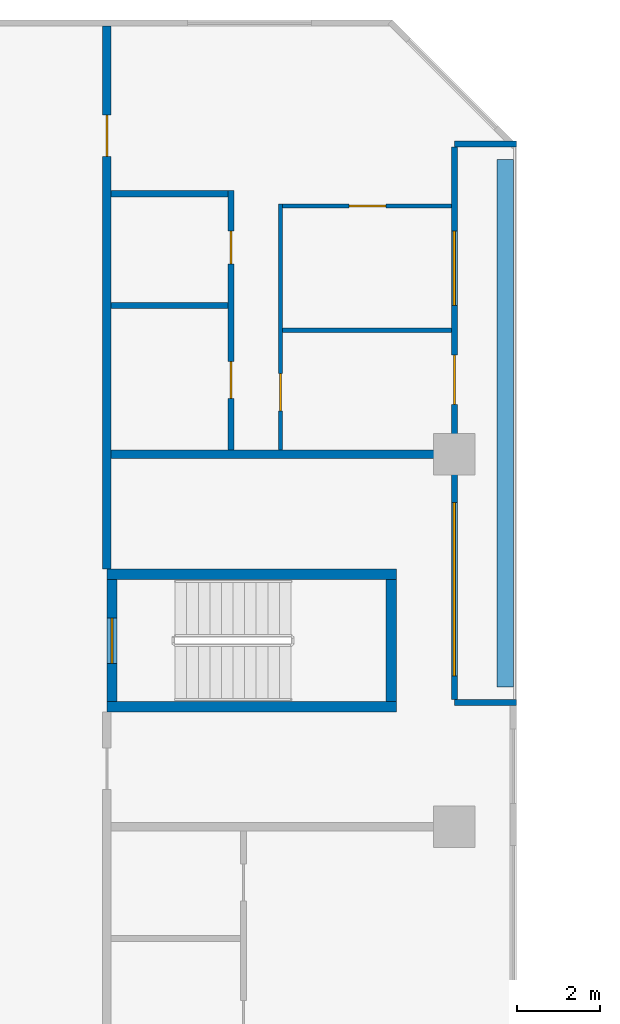
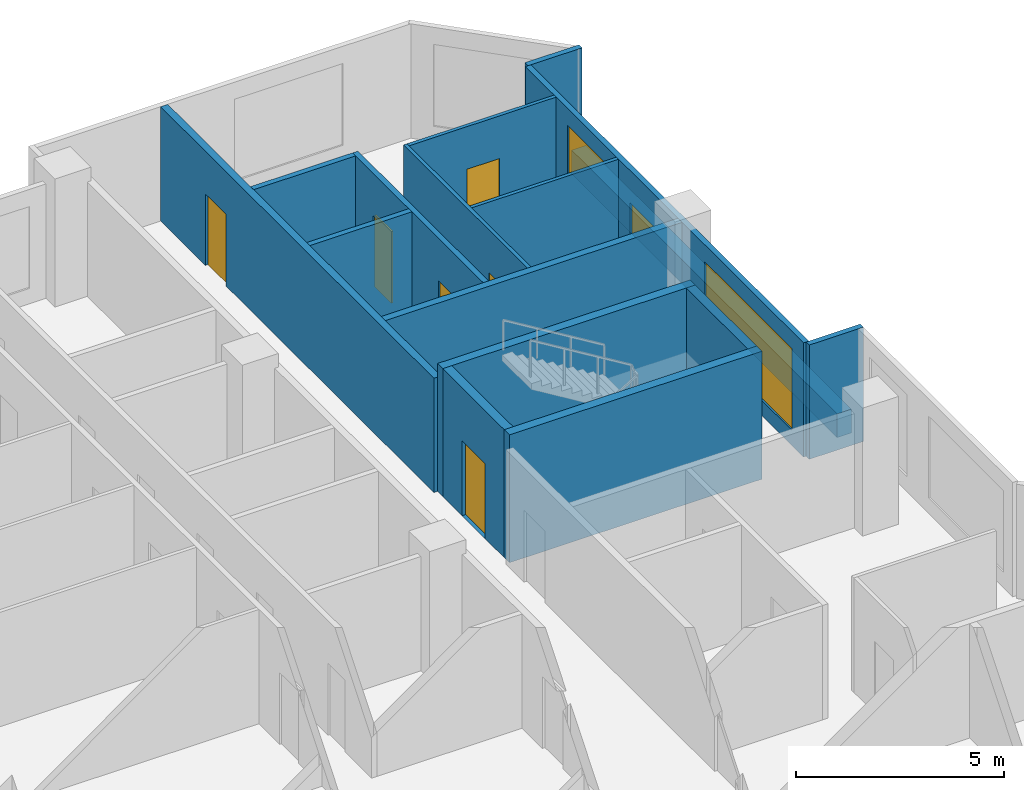
# One storey, part 11 of 15: 16 walls, 7 doors, 2 windows, 9 openings.
"""IFC4 building model written with IfcOpenShell, lengths in metres."""

from ifc_helpers import new_model, si_unit, direction, frame, frame_2d, origin, place, context, subcontext, project, spatial, rectangle, extrude, material, layer, layer_set, type_object, element, fill, save


model = new_model("IFC4")

# Units and contexts
model_context = context("Model", 3, precision=1e-05, world=origin(), true_north=direction((0.0, 1.0)))
body_context = subcontext(model_context, "Body", "Model", "MODEL_VIEW")
ifc_project = project(units=[si_unit("LENGTHUNIT", "METRE"), si_unit("AREAUNIT", "SQUARE_METRE"), si_unit("VOLUMEUNIT", "CUBIC_METRE"), si_unit("PLANEANGLEUNIT", "RADIAN"), si_unit("MASSUNIT", "GRAM", prefix="KILO")], contexts=[model_context])

# Site, building, storey
site_placement = place(None, origin())
site = spatial("IfcSite", under=ifc_project, at=site_placement, CompositionType="ELEMENT")
building_placement = place(site_placement, origin())
building = spatial("IfcBuilding", under=site, at=building_placement, Name="Chenar Terraces", CompositionType="ELEMENT")
storey_placement = place(building_placement, frame((0.0, 0.0, 125.64990234375)))
storey = spatial("IfcBuildingStorey", under=building, at=storey_placement, Name="L29", CompositionType="ELEMENT", Elevation=125.64990234375)

# Walls
ifc_material_1 = material(Name="Concrete C70/85", Category="concrete")
ifc_layer_1 = layer(ifc_material_1, 0.25)
ifc_layer_set_1 = layer_set([ifc_layer_1], Name="Concrete C70/85")
wall_type_1 = type_object("IfcWallType", Name="Core wall 250 Concrete C70/85", PredefinedType="SHEAR", material=ifc_layer_set_1)
for number, where, z_axis, x_axis, name in (
    (1, (15.60009765625, 47.89990234375, 0.0), (0.0, 0.0, 1.0), (1.0, 0.0, 0.0), "Core wall ST4_S L29"),
    (2, (15.60009765625, 51.10009765625, 0.0), (0.0, 0.0, 1.0), (1.0, 0.0, 0.0), "Core wall ST4_N L29"),
):
    element("IfcWall", number, at=place(storey_placement, frame(where, z_axis=z_axis, x_axis=x_axis)), inside=storey, type_object=wall_type_1, Name=name, PredefinedType="SHEAR", context=body_context, shape_type="SweptSolid", body=[
        extrude(rectangle(XDim=7.0, YDim=0.25, at=frame_2d((3.5, 0.0))), origin(), (0.0, 0.0, 1.0), 3.75),
    ])

# Wall, opening, door
wall_1_placement = place(storey_placement, frame((15.72509765625, 48.02490234375, 0.0), z_axis=(0.0, 0.0, 1.0), x_axis=(0.0, 1.0, 0.0)))
wall_1 = element("IfcWall", 3, at=wall_1_placement, inside=storey, type_object=wall_type_1, Name="Core wall ST4_W L29", PredefinedType="SHEAR", context=body_context, shape_type="SweptSolid", body=[
    extrude(rectangle(XDim=2.9501953125, YDim=0.25, at=frame_2d((1.47509765625, 0.0))), origin(), (0.0, 0.0, 1.0), 3.75),
])
opening_1_placement = place(wall_1_placement, frame((0.925048828125, 0.0, 0.0)))
opening_1 = element("IfcOpeningElement", 4, at=opening_1_placement, cuts=wall_1, Name="Opening DL29-C9", PredefinedType="OPENING", context=body_context, shape_type="SweptSolid", body=[
    extrude(rectangle(XDim=1.10009765625, YDim=2.199951171875, at=frame_2d((0.550048828125, 1.10009765625))), frame((0.0, 0.135009765625, 0.0), z_axis=(0.0, -1.0, 0.0), x_axis=(1.0, 0.0, 0.0)), (0.0, 0.0, 1.0), 0.27001953125),
])
ifc_material_2 = material(Name="Steel-framed fire-resisting door leaf", Category="steel")
door_type_1 = type_object("IfcDoorType", Name="Stair fire door FD60 1100 x 2200", OperationType="SINGLE_SWING_LEFT", PredefinedType="DOOR", material=ifc_material_2)
door_1_placement = place(opening_1_placement, frame((1.10009765625, 0.0, 0.0), z_axis=(0.0, 0.0, 1.0), x_axis=(-1.0, 0.0, 0.0)))
door_1 = element("IfcDoor", 5, at=door_1_placement, inside=storey, type_object=door_type_1, Name="Stair door DL29-C9", OperationType="SINGLE_SWING_RIGHT", OverallHeight=2.199951171875, OverallWidth=1.10009765625, PredefinedType="DOOR", context=body_context, shape_type="SweptSolid", body=[
    extrude(rectangle(XDim=1.10009765625, YDim=2.199951171875, at=frame_2d((0.550048828125, 1.10009765625))), frame((0.0, 0.02490234375, 0.0), z_axis=(0.0, -1.0, 0.0), x_axis=(1.0, 0.0, 0.0)), (0.0, 0.0, 1.0), 0.050048828125),
])
fill(opening_1, door_1)

# Wall
wall_2_placement = place(storey_placement, frame((22.47509765625, 48.02490234375, 0.0), z_axis=(0.0, 0.0, 1.0), x_axis=(0.0, 1.0, 0.0)))
element("IfcWall", 6, at=wall_2_placement, inside=storey, type_object=wall_type_1, Name="Core wall ST4_E L29", PredefinedType="SHEAR", context=body_context, shape_type="SweptSolid", body=[
    extrude(rectangle(XDim=2.9501953125, YDim=0.25, at=frame_2d((1.47509765625, 0.0))), origin(), (0.0, 0.0, 1.0), 3.75),
])

# Wall, opening, door
ifc_material_3 = material(Name="Gypsum board on steel studs with fire boards", Category="steel")
ifc_layer_2 = layer(ifc_material_3, 0.199951171875)
ifc_layer_set_2 = layer_set([ifc_layer_2], Name="Gypsum board on steel studs with fire boards")
wall_type_2 = type_object("IfcWallType", Name="Corridor wall 200", PredefinedType="PARTITIONING", material=ifc_layer_set_2)
wall_3_placement = place(storey_placement, frame((15.60009765625, 51.22509765625, 0.0), z_axis=(0.0, 0.0, 1.0), x_axis=(0.0, 1.0, 0.0)))
wall_3 = element("IfcWall", 7, at=wall_3_placement, inside=storey, type_object=wall_type_2, Name="Partition L29-038", PredefinedType="PARTITIONING", context=body_context, shape_type="SweptSolid", body=[
    extrude(rectangle(XDim=13.125, YDim=0.199951171875, at=frame_2d((6.5625, 0.0))), origin(), (0.0, 0.0, 1.0), 3.35009765625),
])
opening_2_placement = place(wall_3_placement, frame((9.97509765625, 0.0, 0.0)))
opening_2 = element("IfcOpeningElement", 8, at=opening_2_placement, cuts=wall_3, Name="Opening DL29-31", PredefinedType="OPENING", context=body_context, shape_type="SweptSolid", body=[
    extrude(rectangle(XDim=1.0, YDim=2.10009765625, at=frame_2d((0.5, 1.050048828125))), frame((0.0, 0.10986328125, 0.0), z_axis=(0.0, -1.0, 0.0), x_axis=(1.0, 0.0, 0.0)), (0.0, 0.0, 1.0), 0.219970703125),
])
ifc_material_4 = material(Name="Steel-framed fire-resisting door leaf", Category="steel")
door_type_2 = type_object("IfcDoorType", Name="Fire door FD30S 1000 x 2100", OperationType="SINGLE_SWING_LEFT", PredefinedType="DOOR", material=ifc_material_4)
door_2_placement = place(opening_2_placement, frame((1.0, 0.0, 0.0), z_axis=(0.0, 0.0, 1.0), x_axis=(-1.0, 0.0, 0.0)))
door_2 = element("IfcDoor", 9, at=door_2_placement, inside=storey, type_object=door_type_2, Name="Door DL29-31", OperationType="SINGLE_SWING_RIGHT", OverallHeight=2.10009765625, OverallWidth=1.0, PredefinedType="DOOR", context=body_context, shape_type="SweptSolid", body=[
    extrude(rectangle(XDim=1.0, YDim=2.10009765625, at=frame_2d((0.5, 1.050048828125))), frame((0.0, 0.02490234375, 0.0), z_axis=(0.0, -1.0, 0.0), x_axis=(1.0, 0.0, 0.0)), (0.0, 0.0, 1.0), 0.050048828125),
])
fill(opening_2, door_2)

# Wall, openings, windows, door
ifc_material_5 = material(Name="Aluminium framed glazing", Category="aluminium")
ifc_layer_3 = layer(ifc_material_5, 0.14990234375)
ifc_layer_set_3 = layer_set([ifc_layer_3], Name="Aluminium framed glazing")
wall_type_3 = type_object("IfcWallType", Name="Glazed loggia back wall 150", PredefinedType="SOLIDWALL", material=ifc_layer_set_3)
wall_4_placement = place(storey_placement, frame((24.0, 48.074951171875, 0.0), z_axis=(0.0, 0.0, 1.0), x_axis=(0.0, 1.0, 0.0)))
wall_4 = element("IfcWall", 10, at=wall_4_placement, inside=storey, type_object=wall_type_3, Name="Glazed loggia back wall", PredefinedType="SOLIDWALL", context=body_context, shape_type="SweptSolid", body=[
    extrude(rectangle(XDim=13.35009765625, YDim=0.14990234375, at=frame_2d((6.675048828125, 0.0))), origin(), (0.0, 0.0, 1.0), 3.35009765625),
])
opening_3_placement = place(wall_4_placement, frame((0.5625, 0.0, 0.449951171875)))
opening_3 = element("IfcOpeningElement", 11, at=opening_3_placement, cuts=wall_4, Name="Opening W420x240", PredefinedType="OPENING", context=body_context, shape_type="SweptSolid", body=[
    extrude(rectangle(XDim=4.199951171875, YDim=2.39990234375, at=frame_2d((2.10009765625, 1.199951171875))), frame((0.0, 0.0849609375, 0.0), z_axis=(0.0, -1.0, 0.0), x_axis=(1.0, 0.0, 0.0)), (0.0, 0.0, 1.0), 0.169921875),
])
opening_4_placement = place(wall_4_placement, frame((7.125, 0.0, 0.0)))
opening_4 = element("IfcOpeningElement", 12, at=opening_4_placement, cuts=wall_4, Name="Opening DL29-G2", PredefinedType="OPENING", context=body_context, shape_type="SweptSolid", body=[
    extrude(rectangle(XDim=1.199951171875, YDim=2.39990234375, at=frame_2d((0.60009765625, 1.199951171875))), frame((0.0, 0.0849609375, 0.0), z_axis=(0.0, -1.0, 0.0), x_axis=(1.0, 0.0, 0.0)), (0.0, 0.0, 1.0), 0.169921875),
])
opening_5_placement = place(wall_4_placement, frame((9.52490234375, 0.0, 0.449951171875)))
opening_5 = element("IfcOpeningElement", 13, at=opening_5_placement, cuts=wall_4, Name="Opening W180x240", PredefinedType="OPENING", context=body_context, shape_type="SweptSolid", body=[
    extrude(rectangle(XDim=1.800048828125, YDim=2.39990234375, at=frame_2d((0.89990234375, 1.199951171875))), frame((0.0, 0.0849609375, 0.0), z_axis=(0.0, -1.0, 0.0), x_axis=(1.0, 0.0, 0.0)), (0.0, 0.0, 1.0), 0.169921875),
])
ifc_material_6 = material(Name="Low emissivity double glazing, aluminium frame", Category="aluminium")
window_type_1 = type_object("IfcWindowType", Name="Fixed light 1800 x 2400", PartitioningType="SINGLE_PANEL", PredefinedType="WINDOW", material=ifc_material_6)
window_1_placement = place(opening_5_placement, origin())
window_1 = element("IfcWindow", 14, at=window_1_placement, inside=storey, type_object=window_type_1, Name="Window", OverallHeight=2.39990234375, OverallWidth=1.800048828125, PartitioningType="SINGLE_PANEL", PredefinedType="WINDOW", context=body_context, shape_type="SweptSolid", body=[
    extrude(rectangle(XDim=1.800048828125, YDim=2.39990234375, at=frame_2d((0.89990234375, 1.199951171875))), frame((0.0, 0.030029296875, 0.0), z_axis=(0.0, -1.0, 0.0), x_axis=(1.0, 0.0, 0.0)), (0.0, 0.0, 1.0), 0.06005859375),
])
fill(opening_5, window_1)
ifc_material_7 = material(Name="Low emissivity double glazing, aluminium frame", Category="aluminium")
window_type_2 = type_object("IfcWindowType", Name="Fixed light 4200 x 2400", PartitioningType="SINGLE_PANEL", PredefinedType="WINDOW", material=ifc_material_7)
window_2_placement = place(opening_3_placement, origin())
window_2 = element("IfcWindow", 15, at=window_2_placement, inside=storey, type_object=window_type_2, Name="Window", OverallHeight=2.39990234375, OverallWidth=4.199951171875, PartitioningType="SINGLE_PANEL", PredefinedType="WINDOW", context=body_context, shape_type="SweptSolid", body=[
    extrude(rectangle(XDim=4.199951171875, YDim=2.39990234375, at=frame_2d((2.10009765625, 1.199951171875))), frame((0.0, 0.030029296875, 0.0), z_axis=(0.0, -1.0, 0.0), x_axis=(1.0, 0.0, 0.0)), (0.0, 0.0, 1.0), 0.06005859375),
])
fill(opening_3, window_2)
ifc_material_8 = material(Name="Low emissivity double glazing, aluminium frame", Category="aluminium")
door_type_3 = type_object("IfcDoorType", Name="Loggia glazed double door 1200 x 2400", OperationType="DOUBLE_DOOR_SINGLE_SWING", PredefinedType="DOOR", material=ifc_material_8)
door_3_placement = place(opening_4_placement, frame((1.199951171875, 0.0, 0.0), z_axis=(0.0, 0.0, 1.0), x_axis=(-1.0, 0.0, 0.0)))
door_3 = element("IfcDoor", 16, at=door_3_placement, inside=storey, type_object=door_type_3, Name="Loggia glazed door", OperationType="DOUBLE_DOOR_SINGLE_SWING", OverallHeight=2.39990234375, OverallWidth=1.199951171875, PredefinedType="DOOR", context=body_context, shape_type="SweptSolid", body=[
    extrude(rectangle(XDim=1.199951171875, YDim=2.39990234375, at=frame_2d((0.60009765625, 1.199951171875))), frame((0.0, 0.02490234375, 0.0), z_axis=(0.0, -1.0, 0.0), x_axis=(1.0, 0.0, 0.0)), (0.0, 0.0, 1.0), 0.050048828125),
])
fill(opening_4, door_3)

# Wall, opening, door
ifc_material_9 = material(Name="Gypsum board on steel studs", Category="steel")
ifc_layer_4 = layer(ifc_material_9, 0.10009765625)
ifc_layer_set_4 = layer_set([ifc_layer_4], Name="Gypsum board on steel studs")
wall_type_4 = type_object("IfcWallType", Name="Gypsum partition 100", PredefinedType="PARTITIONING", material=ifc_layer_set_4)
wall_5_placement = place(storey_placement, frame((19.800048828125, 54.10009765625, 0.0), z_axis=(0.0, 0.0, 1.0), x_axis=(0.0, 1.0, 0.0)))
wall_5 = element("IfcWall", 17, at=wall_5_placement, inside=storey, type_object=wall_type_4, Name="Partition L29-050", PredefinedType="PARTITIONING", context=body_context, shape_type="SweptSolid", body=[
    extrude(rectangle(XDim=5.949951171875, YDim=0.10009765625, at=frame_2d((2.97509765625, 0.0))), origin(), (0.0, 0.0, 1.0), 3.35009765625),
])
opening_6_placement = place(wall_5_placement, frame((0.949951171875, 0.0, 0.0)))
opening_6 = element("IfcOpeningElement", 18, at=opening_6_placement, cuts=wall_5, Name="Opening DL29-28", PredefinedType="OPENING", context=body_context, shape_type="SweptSolid", body=[
    extrude(rectangle(XDim=0.89990234375, YDim=2.10009765625, at=frame_2d((0.449951171875, 1.050048828125))), frame((0.0, 0.06005859375, 0.0), z_axis=(0.0, -1.0, 0.0), x_axis=(1.0, 0.0, 0.0)), (0.0, 0.0, 1.0), 0.1201171875),
])
ifc_material_10 = material(Name="Veneered timber door leaf", Category="wood")
door_type_4 = type_object("IfcDoorType", Name="Door 900 x 2100", OperationType="SINGLE_SWING_LEFT", PredefinedType="DOOR", material=ifc_material_10)
door_4_placement = place(opening_6_placement, frame((0.89990234375, 0.0, 0.0), z_axis=(0.0, 0.0, 1.0), x_axis=(-1.0, 0.0, 0.0)))
door_4 = element("IfcDoor", 19, at=door_4_placement, inside=storey, type_object=door_type_4, Name="Door DL29-28", OperationType="SINGLE_SWING_LEFT", OverallHeight=2.10009765625, OverallWidth=0.89990234375, PredefinedType="DOOR", context=body_context, shape_type="SweptSolid", body=[
    extrude(rectangle(XDim=0.89990234375, YDim=2.10009765625, at=frame_2d((0.449951171875, 1.050048828125))), frame((0.0, 0.02490234375, 0.0), z_axis=(0.0, -1.0, 0.0), x_axis=(1.0, 0.0, 0.0)), (0.0, 0.0, 1.0), 0.050048828125),
])
fill(opening_6, door_4)

# Wall
wall_6_placement = place(storey_placement, frame((19.85009765625, 57.0, 0.0), z_axis=(0.0, 0.0, 1.0), x_axis=(1.0, 0.0, 0.0)))
element("IfcWall", 20, at=wall_6_placement, inside=storey, type_object=wall_type_4, Name="Partition L29-051", PredefinedType="PARTITIONING", context=body_context, shape_type="SweptSolid", body=[
    extrude(rectangle(XDim=4.075927734375, YDim=0.10009765625, at=frame_2d((2.0380859375, 0.0))), origin(), (0.0, 0.0, 1.0), 3.35009765625),
])

# Wall, opening, door
wall_7_placement = place(storey_placement, frame((19.85009765625, 60.0, 0.0), z_axis=(0.0, 0.0, 1.0), x_axis=(1.0, 0.0, 0.0)))
wall_7 = element("IfcWall", 21, at=wall_7_placement, inside=storey, type_object=wall_type_4, Name="Partition L29-052", PredefinedType="PARTITIONING", context=body_context, shape_type="SweptSolid", body=[
    extrude(rectangle(XDim=4.075927734375, YDim=0.10009765625, at=frame_2d((2.0380859375, 0.0))), origin(), (0.0, 0.0, 1.0), 3.35009765625),
])
opening_7_placement = place(wall_7_placement, frame((1.60009765625, 0.0, 0.0)))
opening_7 = element("IfcOpeningElement", 22, at=opening_7_placement, cuts=wall_7, Name="Opening DL29-29", PredefinedType="OPENING", context=body_context, shape_type="SweptSolid", body=[
    extrude(rectangle(XDim=0.89990234375, YDim=2.10009765625, at=frame_2d((0.449951171875, 1.050048828125))), frame((0.0, 0.06005859375, 0.0), z_axis=(0.0, -1.0, 0.0), x_axis=(1.0, 0.0, 0.0)), (0.0, 0.0, 1.0), 0.1201171875),
])
door_5_placement = place(opening_7_placement, frame((0.89990234375, 0.0, 0.0), z_axis=(0.0, 0.0, 1.0), x_axis=(-1.0, 0.0, 0.0)))
door_5 = element("IfcDoor", 23, at=door_5_placement, inside=storey, type_object=door_type_4, Name="Door DL29-29", OperationType="SINGLE_SWING_LEFT", OverallHeight=2.10009765625, OverallWidth=0.89990234375, PredefinedType="DOOR", context=body_context, shape_type="SweptSolid", body=[
    extrude(rectangle(XDim=0.89990234375, YDim=2.10009765625, at=frame_2d((0.449951171875, 1.050048828125))), frame((0.0, 0.02490234375, 0.0), z_axis=(0.0, -1.0, 0.0), x_axis=(1.0, 0.0, 0.0)), (0.0, 0.0, 1.0), 0.050048828125),
])
fill(opening_7, door_5)

# Walls
ifc_material_11 = material(Name="Terracotta cladding on insulated backing", Category="masonry")
ifc_layer_5 = layer(ifc_material_11, 0.14990234375)
ifc_layer_set_5 = layer_set([ifc_layer_5], Name="Terracotta cladding on insulated backing")
wall_type_5 = type_object("IfcWallType", Name="Loggia return wall 150", PredefinedType="SOLIDWALL", material=ifc_layer_set_5)
for number, where, z_axis, x_axis, name in (
    (24, (25.5, 48.0, 0.0), (0.0, 0.0, 1.0), (-1.0, 0.0, 0.0), "Loggia return wall"),
    (25, (25.5, 61.5, 0.0), (0.0, 0.0, 1.0), (-1.0, 0.0, 0.0), "Loggia return wall"),
):
    element("IfcWall", number, at=place(storey_placement, frame(where, z_axis=z_axis, x_axis=x_axis)), inside=storey, type_object=wall_type_5, Name=name, PredefinedType="SOLIDWALL", context=body_context, shape_type="SweptSolid", body=[
        extrude(rectangle(XDim=1.5, YDim=0.14990234375, at=frame_2d((0.75, 0.0))), origin(), (0.0, 0.0, 1.0), 3.35009765625),
    ])
ifc_material_12 = material(Name="Twin gypsum board on steel studs with mineral wool", Category="steel")
ifc_layer_6 = layer(ifc_material_12, 0.199951171875)
ifc_layer_set_6 = layer_set([ifc_layer_6], Name="Twin gypsum board on steel studs with mineral wool")
wall_type_6 = type_object("IfcWallType", Name="Unit demising wall 200", PredefinedType="PARTITIONING", material=ifc_layer_set_6)
wall_8_placement = place(storey_placement, frame((15.699951171875, 54.0, 0.0), z_axis=(0.0, 0.0, 1.0), x_axis=(1.0, 0.0, 0.0)))
element("IfcWall", 26, at=wall_8_placement, inside=storey, type_object=wall_type_6, Name="Partition L29-045", PredefinedType="PARTITIONING", context=body_context, shape_type="SweptSolid", body=[
    extrude(rectangle(XDim=8.22607421875, YDim=0.199951171875, at=frame_2d((4.113037109375, 0.0))), origin(), (0.0, 0.0, 1.0), 3.35009765625),
])
ifc_material_13 = material(Name="GRP planter trough")
ifc_layer_7 = layer(ifc_material_13, 0.39990234375)
ifc_layer_set_7 = layer_set([ifc_layer_7], Name="GRP planter trough")
wall_type_7 = type_object("IfcWallType", Name="Vertical greenery planter 400", PredefinedType="SOLIDWALL", material=ifc_layer_set_7)
wall_9_placement = place(storey_placement, frame((25.22900390625, 48.375, 0.0), z_axis=(0.0, 0.0, 1.0), x_axis=(0.0, 1.0, 0.0)))
element("IfcWall", 27, at=wall_9_placement, inside=storey, type_object=wall_type_7, Name="Vertical greenery planter", PredefinedType="SOLIDWALL", context=body_context, shape_type="SweptSolid", body=[
    extrude(rectangle(XDim=12.75, YDim=0.39990234375, at=frame_2d((6.375, 0.0))), origin(), (0.0, 0.0, 1.0), 0.7001953125),
])
ifc_material_14 = material(Name="Moisture-resistant gypsum board on steel studs", Category="steel")
ifc_layer_8 = layer(ifc_material_14, 0.14990234375)
ifc_layer_set_8 = layer_set([ifc_layer_8], Name="Moisture-resistant gypsum board on steel studs")
wall_type_8 = type_object("IfcWallType", Name="Wet-room partition 150", PredefinedType="PARTITIONING", material=ifc_layer_set_8)
for number, where, z_axis, x_axis, name in (
    (28, (15.699951171875, 57.60009765625, 0.0), (0.0, 0.0, 1.0), (1.0, 0.0, 0.0), "Partition L29-046"),
    (29, (15.699951171875, 60.300048828125, 0.0), (0.0, 0.0, 1.0), (1.0, 0.0, 0.0), "Partition L29-047"),
):
    element("IfcWall", number, at=place(storey_placement, frame(where, z_axis=z_axis, x_axis=x_axis)), inside=storey, type_object=wall_type_8, Name=name, PredefinedType="PARTITIONING", context=body_context, shape_type="SweptSolid", body=[
        extrude(rectangle(XDim=2.824951171875, YDim=0.14990234375, at=frame_2d((1.41259765625, 0.0))), origin(), (0.0, 0.0, 1.0), 3.35009765625),
    ])

# Wall, openings, doors
wall_10_placement = place(storey_placement, frame((18.60009765625, 54.10009765625, 0.0), z_axis=(0.0, 0.0, 1.0), x_axis=(0.0, 1.0, 0.0)))
wall_10 = element("IfcWall", 30, at=wall_10_placement, inside=storey, type_object=wall_type_8, Name="Partition L29-048", PredefinedType="PARTITIONING", context=body_context, shape_type="SweptSolid", body=[
    extrude(rectangle(XDim=6.27490234375, YDim=0.14990234375, at=frame_2d((3.137451171875, 0.0))), origin(), (0.0, 0.0, 1.0), 3.35009765625),
])
opening_8_placement = place(wall_10_placement, frame((4.5, 0.0, 0.0)))
opening_8 = element("IfcOpeningElement", 31, at=opening_8_placement, cuts=wall_10, Name="Opening DL29-27", PredefinedType="OPENING", context=body_context, shape_type="SweptSolid", body=[
    extrude(rectangle(XDim=0.800048828125, YDim=2.10009765625, at=frame_2d((0.39990234375, 1.050048828125))), frame((0.0, 0.0849609375, 0.0), z_axis=(0.0, -1.0, 0.0), x_axis=(1.0, 0.0, 0.0)), (0.0, 0.0, 1.0), 0.169921875),
])
opening_9_placement = place(wall_10_placement, frame((1.25, 0.0, 0.0)))
opening_9 = element("IfcOpeningElement", 32, at=opening_9_placement, cuts=wall_10, Name="Opening DL29-30", PredefinedType="OPENING", context=body_context, shape_type="SweptSolid", body=[
    extrude(rectangle(XDim=0.89990234375, YDim=2.10009765625, at=frame_2d((0.449951171875, 1.050048828125))), frame((0.0, 0.0849609375, 0.0), z_axis=(0.0, -1.0, 0.0), x_axis=(1.0, 0.0, 0.0)), (0.0, 0.0, 1.0), 0.169921875),
])
ifc_material_15 = material(Name="Veneered timber door leaf", Category="wood")
door_type_5 = type_object("IfcDoorType", Name="Door 800 x 2100", OperationType="SINGLE_SWING_LEFT", PredefinedType="DOOR", material=ifc_material_15)
door_6_placement = place(opening_8_placement, origin())
door_6 = element("IfcDoor", 33, at=door_6_placement, inside=storey, type_object=door_type_5, Name="Door DL29-27", OperationType="SINGLE_SWING_RIGHT", OverallHeight=2.10009765625, OverallWidth=0.800048828125, PredefinedType="DOOR", context=body_context, shape_type="SweptSolid", body=[
    extrude(rectangle(XDim=0.800048828125, YDim=2.10009765625, at=frame_2d((0.39990234375, 1.050048828125))), frame((0.0, 0.02490234375, 0.0), z_axis=(0.0, -1.0, 0.0), x_axis=(1.0, 0.0, 0.0)), (0.0, 0.0, 1.0), 0.050048828125),
])
fill(opening_8, door_6)
door_7_placement = place(opening_9_placement, origin())
door_7 = element("IfcDoor", 34, at=door_7_placement, inside=storey, type_object=door_type_4, Name="Door DL29-30", OperationType="SINGLE_SWING_RIGHT", OverallHeight=2.10009765625, OverallWidth=0.89990234375, PredefinedType="DOOR", context=body_context, shape_type="SweptSolid", body=[
    extrude(rectangle(XDim=0.89990234375, YDim=2.10009765625, at=frame_2d((0.449951171875, 1.050048828125))), frame((0.0, 0.02490234375, 0.0), z_axis=(0.0, -1.0, 0.0), x_axis=(1.0, 0.0, 0.0)), (0.0, 0.0, 1.0), 0.050048828125),
])
fill(opening_9, door_7)

save(model, "model.ifc")
